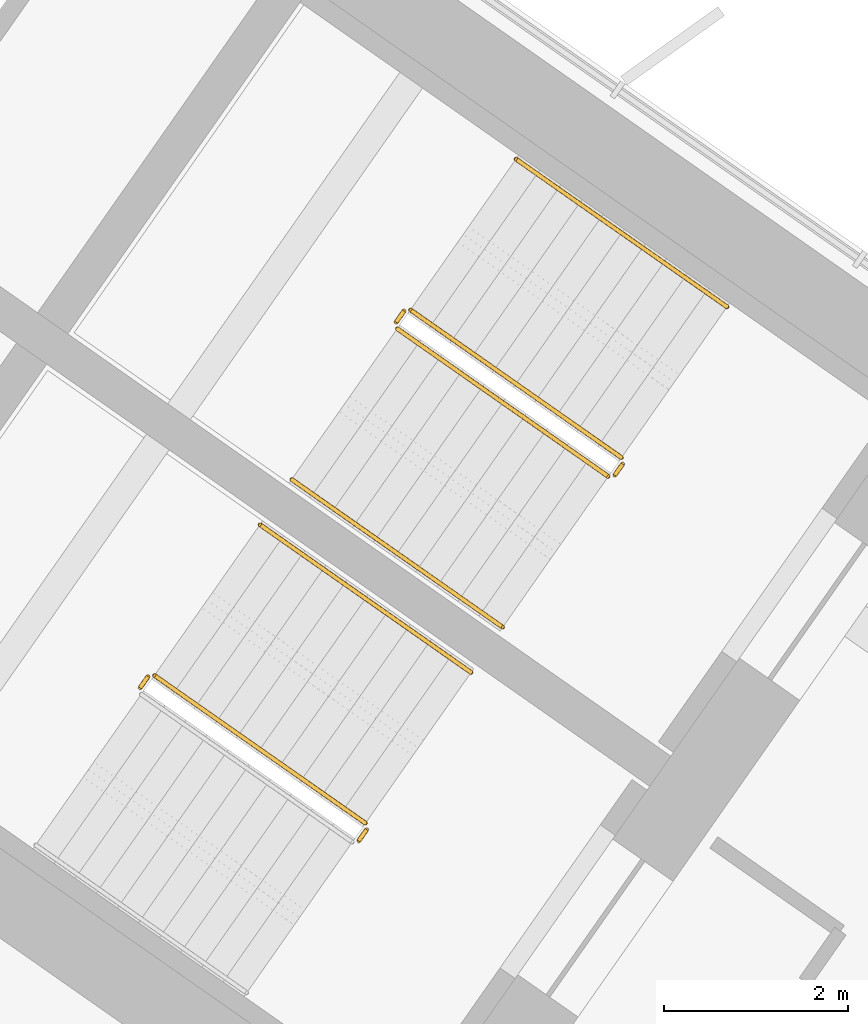
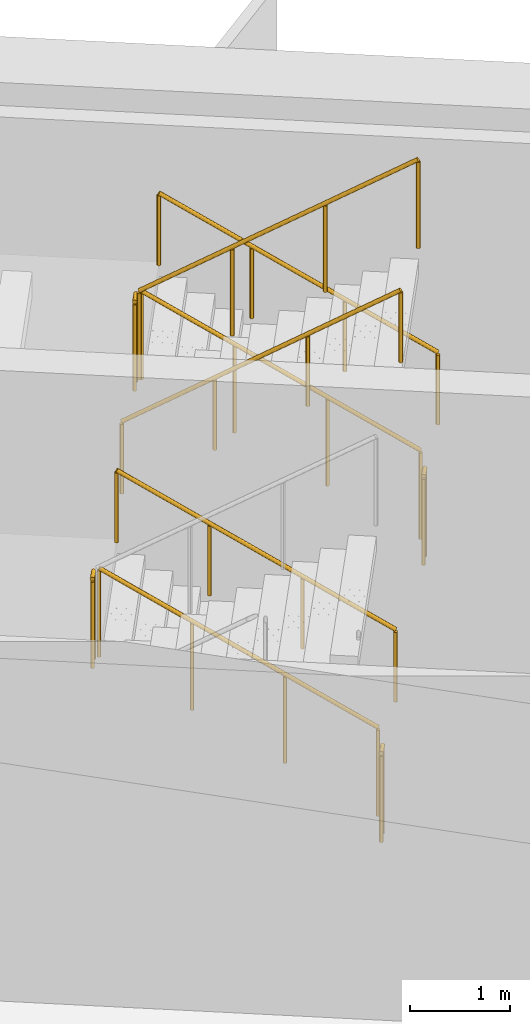
# One storey, part 20 of 21: 10 railings.
"""IFC4 building model written with IfcOpenShell, lengths in metres."""

from ifc_helpers import new_model, si_unit, direction, frame, origin, origin_2d, place, context, subcontext, project, spatial, circle, extrude, material, type_object, element, save


model = new_model("IFC4")

# Units and contexts
model_context = context("Model", 3, precision=1e-05, world=origin(), true_north=direction((0.0, 1.0)))
body_context = subcontext(model_context, "Body", "Model", "MODEL_VIEW")
ifc_project = project(units=[si_unit("LENGTHUNIT", "METRE"), si_unit("AREAUNIT", "SQUARE_METRE"), si_unit("VOLUMEUNIT", "CUBIC_METRE"), si_unit("PLANEANGLEUNIT", "RADIAN"), si_unit("MASSUNIT", "GRAM", prefix="KILO")], contexts=[model_context])

# Site, building, storey
site_placement = place(None, origin())
site = spatial("IfcSite", under=ifc_project, at=site_placement, CompositionType="ELEMENT")
building_placement = place(site_placement, origin())
building = spatial("IfcBuilding", under=site, at=building_placement, Name="Tel Ilan Convention Tower", CompositionType="ELEMENT")
storey_placement = place(building_placement, frame((0.0, 0.0, 147.60009765625)))
storey = spatial("IfcBuildingStorey", under=building, at=storey_placement, Name="L33", CompositionType="ELEMENT", Elevation=147.60009765625)

# Railings
ifc_material_1 = material(Name="Stainless Steel Grade 316", Category="steel")
railing_type_1 = type_object("IfcRailingType", Name="Stainless Steel Stair Guard 1100 mm", PredefinedType="GUARDRAIL", material=ifc_material_1)
railing_1_placement = place(storey_placement, frame((23.6787109375, -7.8515625, 0.17724609375)))
element("IfcRailing", 1, at=railing_1_placement, inside=storey, type_object=railing_type_1, Name="L33 S3 stair guard 1", PredefinedType="GUARDRAIL", context=body_context, shape_type="SweptSolid", body=[
    extrude(circle(Radius=0.02392578125, at=origin_2d()), frame((0.0, 0.0, 1.076171875), z_axis=(-0.692084706163, 0.484621375041, 0.534940073605), x_axis=(-0.573591086599, -0.819141785879, 0.0)), (0.0, 0.0, 1.0), 3.313720703125),
    extrude(circle(Radius=0.02099609375, at=origin_2d()), origin(), (0.0, 0.0, 1.0), 1.052001953125),
    extrude(circle(Radius=0.02099609375, at=origin_2d()), frame((-0.764404296875, 0.535400390625, 0.5908203125)), (0.0, 0.0, 1.0), 1.052001953125),
    extrude(circle(Radius=0.02099609375, at=origin_2d()), frame((-1.529052734375, 1.070556640625, 1.181884765625)), (0.0, 0.0, 1.0), 1.052001953125),
    extrude(circle(Radius=0.02099609375, at=origin_2d()), frame((-2.29345703125, 1.60595703125, 1.772705078125)), (0.0, 0.0, 1.0), 1.052001953125),
])
railing_2_placement = place(storey_placement, frame((21.3154296875, -6.2578125, 1.949951171875)))
element("IfcRailing", 2, at=railing_2_placement, inside=storey, type_object=railing_type_1, Name="L33 S3 stair guard 2", PredefinedType="GUARDRAIL", context=body_context, shape_type="SweptSolid", body=[
    extrude(circle(Radius=0.02392578125, at=origin_2d()), frame((0.0, 0.0, 1.076171875), z_axis=(-0.573353020881, -0.819308436089, 0.0), x_axis=(0.819308436089, -0.573353020881, 0.0)), (0.0, 0.0, 1.0), 0.14990234375),
    extrude(circle(Radius=0.02099609375, at=origin_2d()), origin(), (0.0, 0.0, 1.0), 1.052001953125),
    extrude(circle(Radius=0.02099609375, at=origin_2d()), frame((-0.0859375, -0.122802734375, 0.0)), (0.0, 0.0, 1.0), 1.052001953125),
])
railing_3_placement = place(storey_placement, frame((21.24169921875, -6.4501953125, 2.127197265625)))
element("IfcRailing", 3, at=railing_3_placement, inside=storey, type_object=railing_type_1, Name="L33 S3 stair guard 3", PredefinedType="GUARDRAIL", context=body_context, shape_type="SweptSolid", body=[
    extrude(circle(Radius=0.02392578125, at=origin_2d()), frame((0.0, 0.0, 1.076171875), z_axis=(0.692098378994, -0.484653031975, 0.534893701956), x_axis=(0.573608623498, 0.819129505664, 0.0)), (0.0, 0.0, 1.0), 3.314208984375),
    extrude(circle(Radius=0.02099609375, at=origin_2d()), origin(), (0.0, 0.0, 1.0), 1.052001953125),
    extrude(circle(Radius=0.02099609375, at=origin_2d()), frame((0.7646484375, -0.535400390625, 0.5908203125)), (0.0, 0.0, 1.0), 1.052001953125),
    extrude(circle(Radius=0.02099609375, at=origin_2d()), frame((1.529052734375, -1.07080078125, 1.181884765625)), (0.0, 0.0, 1.0), 1.052001953125),
    extrude(circle(Radius=0.02099609375, at=origin_2d()), frame((2.293701171875, -1.606201171875, 1.772705078125)), (0.0, 0.0, 1.0), 1.052001953125),
])
railing_4_placement = place(storey_placement, frame((23.691162109375, -7.921142578125, 0.0)))
element("IfcRailing", 4, at=railing_4_placement, inside=storey, type_object=railing_type_1, Name="L33 S3 stair guard 4", PredefinedType="GUARDRAIL", context=body_context, shape_type="SweptSolid", body=[
    extrude(circle(Radius=0.02392578125, at=origin_2d()), frame((0.0, 0.0, 1.076171875), z_axis=(-0.574444878118, -0.818543268254, 0.0), x_axis=(0.818543268254, -0.574444878118, 0.0)), (0.0, 0.0, 1.0), 0.150146484375),
    extrude(circle(Radius=0.02099609375, at=origin_2d()), origin(), (0.0, 0.0, 1.0), 1.052001953125),
    extrude(circle(Radius=0.02099609375, at=origin_2d()), frame((-0.086181640625, -0.122802734375, 0.0)), (0.0, 0.0, 1.0), 1.052001953125),
])
railing_5_placement = place(storey_placement, frame((20.89697265625, -11.824462890625, 0.17724609375)))
element("IfcRailing", 5, at=railing_5_placement, inside=storey, type_object=railing_type_1, Name="L33 S4 stair guard 1", PredefinedType="GUARDRAIL", context=body_context, shape_type="SweptSolid", body=[
    extrude(circle(Radius=0.02392578125, at=origin_2d()), frame((0.0, 0.0, 1.076171875), z_axis=(-0.692123088272, 0.484596665743, 0.534912798717), x_axis=(-0.573550118428, -0.819170471667, 0.0)), (0.0, 0.0, 1.0), 3.31396484375),
    extrude(circle(Radius=0.02099609375, at=origin_2d()), origin(), (0.0, 0.0, 1.0), 1.052001953125),
    extrude(circle(Radius=0.02099609375, at=origin_2d()), frame((-0.7646484375, 0.535400390625, 0.5908203125)), (0.0, 0.0, 1.0), 1.052001953125),
    extrude(circle(Radius=0.02099609375, at=origin_2d()), frame((-1.529052734375, 1.070556640625, 1.181884765625)), (0.0, 0.0, 1.0), 1.052001953125),
    extrude(circle(Radius=0.02099609375, at=origin_2d()), frame((-2.293701171875, 1.60595703125, 1.772705078125)), (0.0, 0.0, 1.0), 1.052001953125),
])
for number, where, name in (
    (6, (18.53369140625, -10.230712890625, 1.949951171875), "L33 S4 stair guard 2"),
    (7, (20.9091796875, -11.89404296875, 0.0), "L33 S4 stair guard 4"),
):
    element("IfcRailing", number, at=place(storey_placement, frame(where)), inside=storey, type_object=railing_type_1, Name=name, PredefinedType="GUARDRAIL", context=body_context, shape_type="SweptSolid", body=[
        extrude(circle(Radius=0.02392578125, at=origin_2d()), frame((0.0, 0.0, 1.076171875), z_axis=(-0.573353020881, -0.819308436089, 0.0), x_axis=(0.819308436089, -0.573353020881, 0.0)), (0.0, 0.0, 1.0), 0.14990234375),
        extrude(circle(Radius=0.02099609375, at=origin_2d()), origin(), (0.0, 0.0, 1.0), 1.052001953125),
        extrude(circle(Radius=0.02099609375, at=origin_2d()), frame((-0.0859375, -0.122802734375, 0.0)), (0.0, 0.0, 1.0), 1.052001953125),
    ])
ifc_material_2 = material(Name="Stainless Steel Grade 316", Category="steel")
railing_type_2 = type_object("IfcRailingType", Name="Stainless Steel Stair Handrail 900 mm", PredefinedType="HANDRAIL", material=ifc_material_2)
railing_6_placement = place(storey_placement, frame((24.825927734375, -6.213134765625, 0.17724609375)))
element("IfcRailing", 8, at=railing_6_placement, inside=storey, type_object=railing_type_2, Name="L33 S3 stair handrail 1", PredefinedType="HANDRAIL", context=body_context, shape_type="SweptSolid", body=[
    extrude(circle(Radius=0.02392578125, at=origin_2d()), frame((0.0, 0.0, 0.8759765625), z_axis=(-0.692123088272, 0.484596665743, 0.534912798717), x_axis=(-0.573550118428, -0.819170471667, 0.0)), (0.0, 0.0, 1.0), 3.31396484375),
    extrude(circle(Radius=0.02099609375, at=origin_2d()), origin(), (0.0, 0.0, 1.0), 0.851806640625),
    extrude(circle(Radius=0.02099609375, at=origin_2d()), frame((-0.7646484375, 0.535400390625, 0.5908203125)), (0.0, 0.0, 1.0), 0.851806640625),
    extrude(circle(Radius=0.02099609375, at=origin_2d()), frame((-1.529052734375, 1.070556640625, 1.181884765625)), (0.0, 0.0, 1.0), 0.851806640625),
    extrude(circle(Radius=0.02099609375, at=origin_2d()), frame((-2.293701171875, 1.60595703125, 1.772705078125)), (0.0, 0.0, 1.0), 0.851806640625),
])
railing_7_placement = place(storey_placement, frame((20.0947265625, -8.088623046875, 2.127197265625)))
element("IfcRailing", 9, at=railing_7_placement, inside=storey, type_object=railing_type_2, Name="L33 S3 stair handrail 2", PredefinedType="HANDRAIL", context=body_context, shape_type="SweptSolid", body=[
    extrude(circle(Radius=0.02392578125, at=origin_2d()), frame((0.0, 0.0, 0.8759765625), z_axis=(0.692084706163, -0.484621375041, 0.534940073605), x_axis=(0.573591086599, 0.819141785879, 0.0)), (0.0, 0.0, 1.0), 3.313720703125),
    extrude(circle(Radius=0.02099609375, at=origin_2d()), origin(), (0.0, 0.0, 1.0), 0.851806640625),
    extrude(circle(Radius=0.02099609375, at=origin_2d()), frame((0.764404296875, -0.535400390625, 0.5908203125)), (0.0, 0.0, 1.0), 0.851806640625),
    extrude(circle(Radius=0.02099609375, at=origin_2d()), frame((1.529052734375, -1.070556640625, 1.181884765625)), (0.0, 0.0, 1.0), 0.851806640625),
    extrude(circle(Radius=0.02099609375, at=origin_2d()), frame((2.29345703125, -1.60595703125, 1.772705078125)), (0.0, 0.0, 1.0), 0.851806640625),
])
railing_8_placement = place(storey_placement, frame((22.044189453125, -10.18603515625, 0.17724609375)))
element("IfcRailing", 10, at=railing_8_placement, inside=storey, type_object=railing_type_2, Name="L33 S4 stair handrail 1", PredefinedType="HANDRAIL", context=body_context, shape_type="SweptSolid", body=[
    extrude(circle(Radius=0.02392578125, at=origin_2d()), frame((0.0, 0.0, 0.8759765625), z_axis=(-0.692123088272, 0.484596665743, 0.534912798717), x_axis=(-0.573550118428, -0.819170471667, 0.0)), (0.0, 0.0, 1.0), 3.31396484375),
    extrude(circle(Radius=0.02099609375, at=origin_2d()), origin(), (0.0, 0.0, 1.0), 0.851806640625),
    extrude(circle(Radius=0.02099609375, at=origin_2d()), frame((-0.7646484375, 0.535400390625, 0.5908203125)), (0.0, 0.0, 1.0), 0.851806640625),
    extrude(circle(Radius=0.02099609375, at=origin_2d()), frame((-1.529052734375, 1.070556640625, 1.181884765625)), (0.0, 0.0, 1.0), 0.851806640625),
    extrude(circle(Radius=0.02099609375, at=origin_2d()), frame((-2.293701171875, 1.60595703125, 1.772705078125)), (0.0, 0.0, 1.0), 0.851806640625),
])

save(model, "model.ifc")
